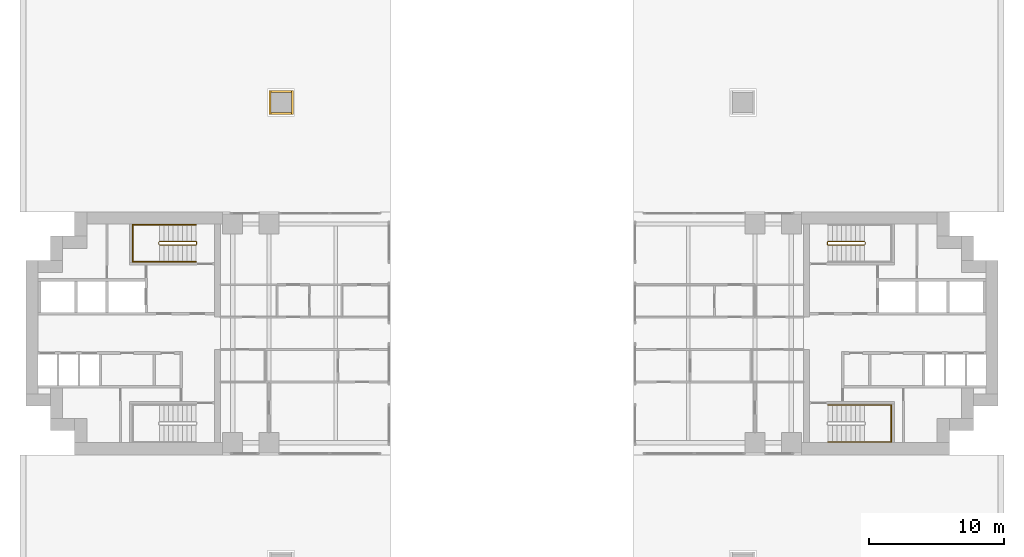
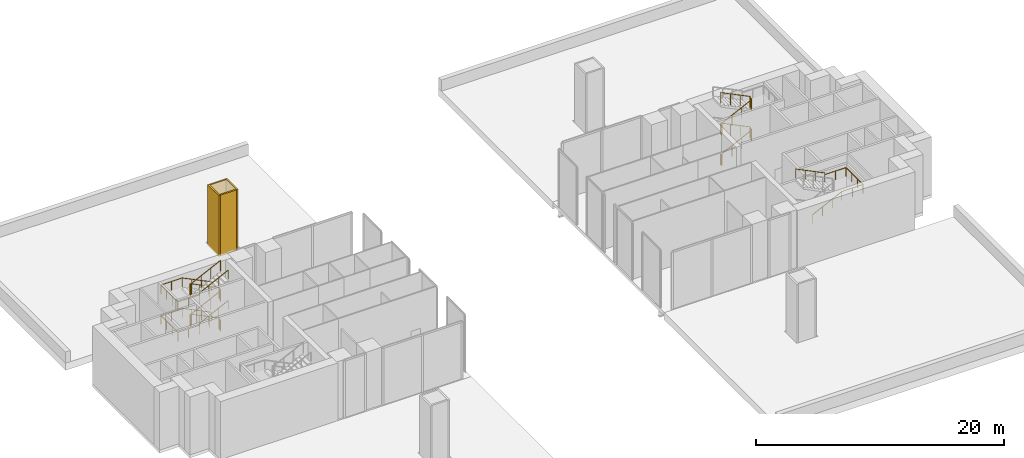
# One storey, part 12 of 13: 5 railings, 4 coverings.
"""IFC4 building model written with IfcOpenShell, lengths in metres."""

from ifc_helpers import new_model, si_unit, direction, frame, origin, origin_2d, place, context, subcontext, project, spatial, rectangle, extrude, material, layer, layer_set, type_object, element, save


model = new_model("IFC4")

# Units and contexts
model_context = context("Model", 3, precision=1e-05, world=origin(), true_north=direction((0.0, 1.0)))
body_context = subcontext(model_context, "Body", "Model", "MODEL_VIEW")
ifc_project = project(units=[si_unit("LENGTHUNIT", "METRE"), si_unit("AREAUNIT", "SQUARE_METRE"), si_unit("VOLUMEUNIT", "CUBIC_METRE"), si_unit("PLANEANGLEUNIT", "RADIAN"), si_unit("MASSUNIT", "GRAM", prefix="KILO")], contexts=[model_context])

# Site, building, storey
site_placement = place(None, origin())
site = spatial("IfcSite", under=ifc_project, at=site_placement, CompositionType="ELEMENT")
building_placement = place(site_placement, origin())
building = spatial("IfcBuilding", under=site, at=building_placement, Name="Perihelion Cross Residences", CompositionType="ELEMENT")
storey_placement = place(building_placement, frame((0.0, 0.0, 15.0)))
storey = spatial("IfcBuildingStorey", under=building, at=storey_placement, Name="L01", CompositionType="ELEMENT", Elevation=15.0)

# Coverings
ifc_material_1 = material(Name="Bronze anodised aluminium", Category="aluminium")
ifc_layer = layer(ifc_material_1, 0.14990234375)
ifc_layer_set = layer_set([ifc_layer], Name="Bronze clad corner pier 150")
covering_type = type_object("IfcCoveringType", Name="Bronze clad corner pier 150", PredefinedType="CLADDING", material=ifc_layer_set)
covering_1_placement = place(storey_placement, frame((-17.925048828125, 17.10009765625, -0.300048828125), z_axis=(0.0, 0.0, 1.0), x_axis=(1.0, 0.0, 0.0)))
element("IfcCovering", 1, at=covering_1_placement, inside=storey, type_object=covering_type, Name="Cladding CP1 L01 casing east-west no. 2", PredefinedType="CLADDING", context=body_context, shape_type="SweptSolid", body=[
    extrude(rectangle(XDim=0.14990234375, YDim=1.800048828125, at=origin_2d()), origin(), (0.0, 0.0, 1.0), 6.0),
])
covering_2_placement = place(storey_placement, frame((-17.10009765625, 17.925048828125, -0.300048828125), z_axis=(0.0, 0.0, 1.0), x_axis=(1.0, 0.0, 0.0)))
element("IfcCovering", 2, at=covering_2_placement, inside=storey, type_object=covering_type, Name="Cladding CP1 L01 casing north-south no. 2", PredefinedType="CLADDING", context=body_context, shape_type="SweptSolid", body=[
    extrude(rectangle(XDim=1.5, YDim=0.14990234375, at=origin_2d()), origin(), (0.0, 0.0, 1.0), 6.0),
])
covering_3_placement = place(storey_placement, frame((-16.27490234375, 17.10009765625, -0.300048828125), z_axis=(0.0, 0.0, 1.0), x_axis=(1.0, 0.0, 0.0)))
element("IfcCovering", 3, at=covering_3_placement, inside=storey, type_object=covering_type, Name="Cladding CP1 L01 casing inner east-west no. 2", PredefinedType="CLADDING", context=body_context, shape_type="SweptSolid", body=[
    extrude(rectangle(XDim=0.14990234375, YDim=1.800048828125, at=origin_2d()), origin(), (0.0, 0.0, 1.0), 6.0),
])
covering_4_placement = place(storey_placement, frame((-17.10009765625, 16.27490234375, -0.300048828125), z_axis=(0.0, 0.0, 1.0), x_axis=(1.0, 0.0, 0.0)))
element("IfcCovering", 4, at=covering_4_placement, inside=storey, type_object=covering_type, Name="Cladding CP1 L01 casing inner north-south no. 2", PredefinedType="CLADDING", context=body_context, shape_type="SweptSolid", body=[
    extrude(rectangle(XDim=1.5, YDim=0.14990234375, at=origin_2d()), origin(), (0.0, 0.0, 1.0), 6.0),
])

# Railings
ifc_material_2 = material(Name="Stainless steel", Category="steel")
railing_type_1 = type_object("IfcRailingType", Name="Stair guard 1100", PredefinedType="GUARDRAIL", material=ifc_material_2)
railing_1_placement = place(storey_placement, frame((23.35009765625, 6.75, 0.0)))
element("IfcRailing", 5, at=railing_1_placement, inside=storey, type_object=railing_type_1, Name="L01 ST-E1 stair guard 1", PredefinedType="GUARDRAIL", context=body_context, shape_type="SweptSolid", body=[
    extrude(rectangle(XDim=0.048095703125, YDim=0.048095703125, at=origin_2d()), frame((0.0, 0.0, 1.076171875), z_axis=(0.0, -1.0, 0.0), x_axis=(1.0, 0.0, 0.0)), (0.0, 0.0, 1.0), 0.14990234375),
    extrude(rectangle(XDim=0.048095703125, YDim=0.048095703125, at=origin_2d()), frame((0.0, -0.14990234375, 1.076171875), z_axis=(0.275041040955, -0.276389281352, 0.920848191041), x_axis=(0.708833529934, 0.705375805398, 0.0)), (0.0, 0.0, 1.0), 0.18115234375),
    extrude(rectangle(XDim=0.048095703125, YDim=0.048095703125, at=origin_2d()), frame((0.0498046875, -0.199951171875, 1.24267578125), z_axis=(0.897945078525, 0.0, 0.440107527717), x_axis=(0.0, 1.0, 0.0)), (0.0, 0.0, 1.0), 3.029296875),
    extrude(rectangle(XDim=0.048095703125, YDim=0.048095703125, at=origin_2d()), frame((2.77001953125, -0.199951171875, 2.576171875), z_axis=(0.705375805398, 0.708833529934, 0.0), x_axis=(-0.708833529934, 0.705375805398, 0.0)), (0.0, 0.0, 1.0), 0.070556640625),
    extrude(rectangle(XDim=0.048095703125, YDim=0.048095703125, at=origin_2d()), frame((2.81982421875, -0.14990234375, 2.576171875), z_axis=(0.0, 1.0, 0.0), x_axis=(-1.0, 0.0, 0.0)), (0.0, 0.0, 1.0), 0.14990234375),
    extrude(rectangle(XDim=0.048095703125, YDim=0.048095703125, at=origin_2d()), frame((2.81982421875, 0.0, 2.576171875), z_axis=(-0.275041040955, 0.276389281352, 0.920848191041), x_axis=(-0.708833529934, -0.705375805398, 0.0)), (0.0, 0.0, 1.0), 0.18115234375),
    extrude(rectangle(XDim=0.048095703125, YDim=0.048095703125, at=origin_2d()), frame((2.77001953125, 0.050048828125, 2.74267578125), z_axis=(-0.897945078525, 0.0, 0.440107527717), x_axis=(0.0, -1.0, 0.0)), (0.0, 0.0, 1.0), 3.029296875),
    extrude(rectangle(XDim=0.048095703125, YDim=0.048095703125, at=origin_2d()), frame((0.0498046875, 0.050048828125, 4.076171875), z_axis=(-0.241699205484, -0.970351222016, 0.0), x_axis=(0.970351222016, -0.241699205484, 0.0)), (0.0, 0.0, 1.0), 0.2060546875),
    extrude(rectangle(XDim=0.048095703125, YDim=0.048095703125, at=origin_2d()), frame((0.0, -0.14990234375, 4.076171875), z_axis=(0.0, 1.0, 0.0), x_axis=(-1.0, 0.0, 0.0)), (0.0, 0.0, 1.0), 0.14990234375),
    extrude(rectangle(XDim=0.048095703125, YDim=0.048095703125, at=origin_2d()), frame((0.0, 0.0, 4.076171875), z_axis=(0.1878875253, -0.754313153044, 0.629054802844), x_axis=(0.970351222016, 0.241699205484, 0.0)), (0.0, 0.0, 1.0), 0.26513671875),
    extrude(rectangle(XDim=0.048095703125, YDim=0.048095703125, at=origin_2d()), frame((0.0498046875, -0.199951171875, 4.24267578125), z_axis=(0.897945078525, 0.0, 0.440107527717), x_axis=(0.0, 1.0, 0.0)), (0.0, 0.0, 1.0), 3.029296875),
    extrude(rectangle(XDim=0.048095703125, YDim=0.048095703125, at=origin_2d()), frame((2.77001953125, -0.199951171875, 5.576171875), z_axis=(0.705375805398, 0.708833529934, 0.0), x_axis=(-0.708833529934, 0.705375805398, 0.0)), (0.0, 0.0, 1.0), 0.070556640625),
    extrude(rectangle(XDim=0.048095703125, YDim=0.048095703125, at=origin_2d()), frame((2.81982421875, -0.14990234375, 5.576171875), z_axis=(0.0, 1.0, 0.0), x_axis=(-1.0, 0.0, 0.0)), (0.0, 0.0, 1.0), 0.14990234375),
    extrude(rectangle(XDim=0.048095703125, YDim=0.048095703125, at=origin_2d()), frame((2.81982421875, 0.0, 5.576171875), z_axis=(-0.275041040955, 0.276389281352, 0.920848191041), x_axis=(-0.708833529934, -0.705375805398, 0.0)), (0.0, 0.0, 1.0), 0.18115234375),
    extrude(rectangle(XDim=0.048095703125, YDim=0.048095703125, at=origin_2d()), frame((2.77001953125, 0.050048828125, 5.74267578125), z_axis=(-0.897945078525, 0.0, 0.440107527717), x_axis=(0.0, -1.0, 0.0)), (0.0, 0.0, 1.0), 3.029296875),
    extrude(rectangle(XDim=0.0419921875, YDim=0.0419921875, at=origin_2d()), origin(), (0.0, 0.0, 1.0), 1.052001953125),
    extrude(rectangle(XDim=0.0419921875, YDim=0.0419921875, at=origin_2d()), frame((0.0, -0.14990234375, 0.0)), (0.0, 0.0, 1.0), 1.052001953125),
    extrude(rectangle(XDim=0.0419921875, YDim=0.0419921875, at=origin_2d()), frame((0.0498046875, -0.199951171875, 0.166748046875)), (0.0, 0.0, 1.0), 1.052001953125),
    extrude(rectangle(XDim=0.0419921875, YDim=0.0419921875, at=origin_2d()), frame((0.95654296875, -0.199951171875, 0.611083984375)), (0.0, 0.0, 1.0), 1.052001953125),
    extrude(rectangle(XDim=0.0419921875, YDim=0.0419921875, at=origin_2d()), frame((1.86328125, -0.199951171875, 1.0556640625)), (0.0, 0.0, 1.0), 1.052001953125),
    extrude(rectangle(XDim=0.0419921875, YDim=0.0419921875, at=origin_2d()), frame((2.77001953125, -0.199951171875, 1.5)), (0.0, 0.0, 1.0), 1.052001953125),
    extrude(rectangle(XDim=0.0419921875, YDim=0.0419921875, at=origin_2d()), frame((2.81982421875, -0.14990234375, 1.5)), (0.0, 0.0, 1.0), 1.052001953125),
    extrude(rectangle(XDim=0.0419921875, YDim=0.0419921875, at=origin_2d()), frame((2.81982421875, 0.0, 1.5)), (0.0, 0.0, 1.0), 1.052001953125),
    extrude(rectangle(XDim=0.0419921875, YDim=0.0419921875, at=origin_2d()), frame((2.77001953125, 0.050048828125, 1.666748046875)), (0.0, 0.0, 1.0), 1.052001953125),
    extrude(rectangle(XDim=0.0419921875, YDim=0.0419921875, at=origin_2d()), frame((1.86328125, 0.050048828125, 2.111083984375)), (0.0, 0.0, 1.0), 1.052001953125),
    extrude(rectangle(XDim=0.0419921875, YDim=0.0419921875, at=origin_2d()), frame((0.95654296875, 0.050048828125, 2.5556640625)), (0.0, 0.0, 1.0), 1.052001953125),
    extrude(rectangle(XDim=0.0419921875, YDim=0.0419921875, at=origin_2d()), frame((0.0498046875, 0.050048828125, 3.0)), (0.0, 0.0, 1.0), 1.052001953125),
    extrude(rectangle(XDim=0.0419921875, YDim=0.0419921875, at=origin_2d()), frame((0.0, -0.14990234375, 3.0)), (0.0, 0.0, 1.0), 1.052001953125),
    extrude(rectangle(XDim=0.0419921875, YDim=0.0419921875, at=origin_2d()), frame((0.0, 0.0, 3.0)), (0.0, 0.0, 1.0), 1.052001953125),
    extrude(rectangle(XDim=0.0419921875, YDim=0.0419921875, at=origin_2d()), frame((0.0498046875, -0.199951171875, 3.166748046875)), (0.0, 0.0, 1.0), 1.052001953125),
    extrude(rectangle(XDim=0.0419921875, YDim=0.0419921875, at=origin_2d()), frame((0.95654296875, -0.199951171875, 3.611083984375)), (0.0, 0.0, 1.0), 1.052001953125),
    extrude(rectangle(XDim=0.0419921875, YDim=0.0419921875, at=origin_2d()), frame((1.86328125, -0.199951171875, 4.0556640625)), (0.0, 0.0, 1.0), 1.052001953125),
    extrude(rectangle(XDim=0.0419921875, YDim=0.0419921875, at=origin_2d()), frame((2.77001953125, -0.199951171875, 4.5)), (0.0, 0.0, 1.0), 1.052001953125),
    extrude(rectangle(XDim=0.0419921875, YDim=0.0419921875, at=origin_2d()), frame((2.81982421875, -0.14990234375, 4.5)), (0.0, 0.0, 1.0), 1.052001953125),
    extrude(rectangle(XDim=0.0419921875, YDim=0.0419921875, at=origin_2d()), frame((2.81982421875, 0.0, 4.5)), (0.0, 0.0, 1.0), 1.052001953125),
    extrude(rectangle(XDim=0.0419921875, YDim=0.0419921875, at=origin_2d()), frame((2.77001953125, 0.050048828125, 4.666748046875)), (0.0, 0.0, 1.0), 1.052001953125),
    extrude(rectangle(XDim=0.0419921875, YDim=0.0419921875, at=origin_2d()), frame((1.86328125, 0.050048828125, 5.111083984375)), (0.0, 0.0, 1.0), 1.052001953125),
    extrude(rectangle(XDim=0.0419921875, YDim=0.0419921875, at=origin_2d()), frame((0.95654296875, 0.050048828125, 5.5556640625)), (0.0, 0.0, 1.0), 1.052001953125),
    extrude(rectangle(XDim=0.0419921875, YDim=0.0419921875, at=origin_2d()), frame((0.0498046875, 0.050048828125, 6.0)), (0.0, 0.0, 1.0), 1.052001953125),
])
railing_2_placement = place(storey_placement, frame((-23.35009765625, 6.60009765625, 0.0)))
element("IfcRailing", 6, at=railing_2_placement, inside=storey, type_object=railing_type_1, Name="L01 ST-W1 stair guard 1", PredefinedType="GUARDRAIL", context=body_context, shape_type="SweptSolid", body=[
    extrude(rectangle(XDim=0.048095703125, YDim=0.048095703125, at=origin_2d()), frame((0.0, 0.0, 1.076171875), z_axis=(0.0, 1.0, 0.0), x_axis=(-1.0, 0.0, 0.0)), (0.0, 0.0, 1.0), 0.14990234375),
    extrude(rectangle(XDim=0.048095703125, YDim=0.048095703125, at=origin_2d()), frame((0.0, 0.14990234375, 1.076171875), z_axis=(-0.275041040955, 0.276389281352, 0.920848191041), x_axis=(-0.708833529934, -0.705375805398, 0.0)), (0.0, 0.0, 1.0), 0.18115234375),
    extrude(rectangle(XDim=0.048095703125, YDim=0.048095703125, at=origin_2d()), frame((-0.0498046875, 0.199951171875, 1.24267578125), z_axis=(-0.897945078525, 0.0, 0.440107527717), x_axis=(0.0, -1.0, 0.0)), (0.0, 0.0, 1.0), 3.029296875),
    extrude(rectangle(XDim=0.048095703125, YDim=0.048095703125, at=origin_2d()), frame((-2.77001953125, 0.199951171875, 2.576171875), z_axis=(-0.705375805398, -0.708833529934, 0.0), x_axis=(0.708833529934, -0.705375805398, 0.0)), (0.0, 0.0, 1.0), 0.070556640625),
    extrude(rectangle(XDim=0.048095703125, YDim=0.048095703125, at=origin_2d()), frame((-2.81982421875, 0.14990234375, 2.576171875), z_axis=(0.0, -1.0, 0.0), x_axis=(1.0, 0.0, 0.0)), (0.0, 0.0, 1.0), 0.14990234375),
    extrude(rectangle(XDim=0.048095703125, YDim=0.048095703125, at=origin_2d()), frame((-2.81982421875, 0.0, 2.576171875), z_axis=(0.275041040955, -0.276389281352, 0.920848191041), x_axis=(0.708833529934, 0.705375805398, 0.0)), (0.0, 0.0, 1.0), 0.18115234375),
    extrude(rectangle(XDim=0.048095703125, YDim=0.048095703125, at=origin_2d()), frame((-2.77001953125, -0.050048828125, 2.74267578125), z_axis=(0.897945078525, 0.0, 0.440107527717), x_axis=(0.0, 1.0, 0.0)), (0.0, 0.0, 1.0), 3.029296875),
    extrude(rectangle(XDim=0.048095703125, YDim=0.048095703125, at=origin_2d()), frame((-0.0498046875, -0.050048828125, 4.076171875), z_axis=(0.241699205484, 0.970351222016, 0.0), x_axis=(-0.970351222016, 0.241699205484, 0.0)), (0.0, 0.0, 1.0), 0.2060546875),
    extrude(rectangle(XDim=0.048095703125, YDim=0.048095703125, at=origin_2d()), frame((0.0, 0.14990234375, 4.076171875), z_axis=(0.0, -1.0, 0.0), x_axis=(1.0, 0.0, 0.0)), (0.0, 0.0, 1.0), 0.14990234375),
    extrude(rectangle(XDim=0.048095703125, YDim=0.048095703125, at=origin_2d()), frame((0.0, 0.0, 4.076171875), z_axis=(-0.1878875253, 0.754313153044, 0.629054802844), x_axis=(-0.970351222016, -0.241699205484, 0.0)), (0.0, 0.0, 1.0), 0.26513671875),
    extrude(rectangle(XDim=0.048095703125, YDim=0.048095703125, at=origin_2d()), frame((-0.0498046875, 0.199951171875, 4.24267578125), z_axis=(-0.897945078525, 0.0, 0.440107527717), x_axis=(0.0, -1.0, 0.0)), (0.0, 0.0, 1.0), 3.029296875),
    extrude(rectangle(XDim=0.048095703125, YDim=0.048095703125, at=origin_2d()), frame((-2.77001953125, 0.199951171875, 5.576171875), z_axis=(-0.705375805398, -0.708833529934, 0.0), x_axis=(0.708833529934, -0.705375805398, 0.0)), (0.0, 0.0, 1.0), 0.070556640625),
    extrude(rectangle(XDim=0.048095703125, YDim=0.048095703125, at=origin_2d()), frame((-2.81982421875, 0.14990234375, 5.576171875), z_axis=(0.0, -1.0, 0.0), x_axis=(1.0, 0.0, 0.0)), (0.0, 0.0, 1.0), 0.14990234375),
    extrude(rectangle(XDim=0.048095703125, YDim=0.048095703125, at=origin_2d()), frame((-2.81982421875, 0.0, 5.576171875), z_axis=(0.275041040955, -0.276389281352, 0.920848191041), x_axis=(0.708833529934, 0.705375805398, 0.0)), (0.0, 0.0, 1.0), 0.18115234375),
    extrude(rectangle(XDim=0.048095703125, YDim=0.048095703125, at=origin_2d()), frame((-2.77001953125, -0.050048828125, 5.74267578125), z_axis=(0.897945078525, 0.0, 0.440107527717), x_axis=(0.0, 1.0, 0.0)), (0.0, 0.0, 1.0), 3.029296875),
    extrude(rectangle(XDim=0.0419921875, YDim=0.0419921875, at=origin_2d()), origin(), (0.0, 0.0, 1.0), 1.052001953125),
    extrude(rectangle(XDim=0.0419921875, YDim=0.0419921875, at=origin_2d()), frame((0.0, 0.14990234375, 0.0)), (0.0, 0.0, 1.0), 1.052001953125),
    extrude(rectangle(XDim=0.0419921875, YDim=0.0419921875, at=origin_2d()), frame((-0.0498046875, 0.199951171875, 0.166748046875)), (0.0, 0.0, 1.0), 1.052001953125),
    extrude(rectangle(XDim=0.0419921875, YDim=0.0419921875, at=origin_2d()), frame((-0.95654296875, 0.199951171875, 0.611083984375)), (0.0, 0.0, 1.0), 1.052001953125),
    extrude(rectangle(XDim=0.0419921875, YDim=0.0419921875, at=origin_2d()), frame((-1.86328125, 0.199951171875, 1.0556640625)), (0.0, 0.0, 1.0), 1.052001953125),
    extrude(rectangle(XDim=0.0419921875, YDim=0.0419921875, at=origin_2d()), frame((-2.77001953125, 0.199951171875, 1.5)), (0.0, 0.0, 1.0), 1.052001953125),
    extrude(rectangle(XDim=0.0419921875, YDim=0.0419921875, at=origin_2d()), frame((-2.81982421875, 0.14990234375, 1.5)), (0.0, 0.0, 1.0), 1.052001953125),
    extrude(rectangle(XDim=0.0419921875, YDim=0.0419921875, at=origin_2d()), frame((-2.81982421875, 0.0, 1.5)), (0.0, 0.0, 1.0), 1.052001953125),
    extrude(rectangle(XDim=0.0419921875, YDim=0.0419921875, at=origin_2d()), frame((-2.77001953125, -0.050048828125, 1.666748046875)), (0.0, 0.0, 1.0), 1.052001953125),
    extrude(rectangle(XDim=0.0419921875, YDim=0.0419921875, at=origin_2d()), frame((-1.86328125, -0.050048828125, 2.111083984375)), (0.0, 0.0, 1.0), 1.052001953125),
    extrude(rectangle(XDim=0.0419921875, YDim=0.0419921875, at=origin_2d()), frame((-0.95654296875, -0.050048828125, 2.5556640625)), (0.0, 0.0, 1.0), 1.052001953125),
    extrude(rectangle(XDim=0.0419921875, YDim=0.0419921875, at=origin_2d()), frame((-0.0498046875, -0.050048828125, 3.0)), (0.0, 0.0, 1.0), 1.052001953125),
    extrude(rectangle(XDim=0.0419921875, YDim=0.0419921875, at=origin_2d()), frame((0.0, 0.14990234375, 3.0)), (0.0, 0.0, 1.0), 1.052001953125),
    extrude(rectangle(XDim=0.0419921875, YDim=0.0419921875, at=origin_2d()), frame((0.0, 0.0, 3.0)), (0.0, 0.0, 1.0), 1.052001953125),
    extrude(rectangle(XDim=0.0419921875, YDim=0.0419921875, at=origin_2d()), frame((-0.0498046875, 0.199951171875, 3.166748046875)), (0.0, 0.0, 1.0), 1.052001953125),
    extrude(rectangle(XDim=0.0419921875, YDim=0.0419921875, at=origin_2d()), frame((-0.95654296875, 0.199951171875, 3.611083984375)), (0.0, 0.0, 1.0), 1.052001953125),
    extrude(rectangle(XDim=0.0419921875, YDim=0.0419921875, at=origin_2d()), frame((-1.86328125, 0.199951171875, 4.0556640625)), (0.0, 0.0, 1.0), 1.052001953125),
    extrude(rectangle(XDim=0.0419921875, YDim=0.0419921875, at=origin_2d()), frame((-2.77001953125, 0.199951171875, 4.5)), (0.0, 0.0, 1.0), 1.052001953125),
    extrude(rectangle(XDim=0.0419921875, YDim=0.0419921875, at=origin_2d()), frame((-2.81982421875, 0.14990234375, 4.5)), (0.0, 0.0, 1.0), 1.052001953125),
    extrude(rectangle(XDim=0.0419921875, YDim=0.0419921875, at=origin_2d()), frame((-2.81982421875, 0.0, 4.5)), (0.0, 0.0, 1.0), 1.052001953125),
    extrude(rectangle(XDim=0.0419921875, YDim=0.0419921875, at=origin_2d()), frame((-2.77001953125, -0.050048828125, 4.666748046875)), (0.0, 0.0, 1.0), 1.052001953125),
    extrude(rectangle(XDim=0.0419921875, YDim=0.0419921875, at=origin_2d()), frame((-1.86328125, -0.050048828125, 5.111083984375)), (0.0, 0.0, 1.0), 1.052001953125),
    extrude(rectangle(XDim=0.0419921875, YDim=0.0419921875, at=origin_2d()), frame((-0.95654296875, -0.050048828125, 5.5556640625)), (0.0, 0.0, 1.0), 1.052001953125),
    extrude(rectangle(XDim=0.0419921875, YDim=0.0419921875, at=origin_2d()), frame((-0.0498046875, -0.050048828125, 6.0)), (0.0, 0.0, 1.0), 1.052001953125),
])
ifc_material_3 = material(Name="Stainless steel", Category="steel")
railing_type_2 = type_object("IfcRailingType", Name="Stair handrail 900", PredefinedType="HANDRAIL", material=ifc_material_3)
railing_3_placement = place(storey_placement, frame((23.39990234375, -8.050048828125, 3.166748046875)))
element("IfcRailing", 7, at=railing_3_placement, inside=storey, type_object=railing_type_2, Name="L01 ST-E2 stair handrail 2", PredefinedType="HANDRAIL", context=body_context, shape_type="SweptSolid", body=[
    extrude(rectangle(XDim=0.048095703125, YDim=0.048095703125, at=origin_2d()), frame((0.0, 0.0, 0.8759765625), z_axis=(0.897945078525, 0.0, 0.440107527717), x_axis=(0.0, 1.0, 0.0)), (0.0, 0.0, 1.0), 3.029296875),
    extrude(rectangle(XDim=0.048095703125, YDim=0.048095703125, at=origin_2d()), frame((2.72021484375, 0.0, 2.208984375), z_axis=(1.0, 0.0, 0.0), x_axis=(0.0, 1.0, 0.0)), (0.0, 0.0, 1.0), 1.97998046875),
    extrude(rectangle(XDim=0.048095703125, YDim=0.048095703125, at=origin_2d()), frame((4.7001953125, 0.0, 2.208984375), z_axis=(0.0, 1.0, 0.0), x_axis=(-1.0, 0.0, 0.0)), (0.0, 0.0, 1.0), 2.75),
    extrude(rectangle(XDim=0.048095703125, YDim=0.048095703125, at=origin_2d()), frame((4.7001953125, 2.75, 2.208984375), z_axis=(-1.0, 0.0, 0.0), x_axis=(0.0, -1.0, 0.0)), (0.0, 0.0, 1.0), 1.97998046875),
    extrude(rectangle(XDim=0.048095703125, YDim=0.048095703125, at=origin_2d()), frame((2.72021484375, 2.75, 2.208984375), z_axis=(0.0, 0.0, 1.0), x_axis=(1.0, 0.0, 0.0)), (0.0, 0.0, 1.0), 0.166748046875),
    extrude(rectangle(XDim=0.048095703125, YDim=0.048095703125, at=origin_2d()), frame((2.72021484375, 2.75, 2.3759765625), z_axis=(-0.897945078525, 0.0, 0.440107527717), x_axis=(0.0, -1.0, 0.0)), (0.0, 0.0, 1.0), 3.029296875),
    extrude(rectangle(XDim=0.0419921875, YDim=0.0419921875, at=origin_2d()), origin(), (0.0, 0.0, 1.0), 0.851806640625),
    extrude(rectangle(XDim=0.0419921875, YDim=0.0419921875, at=origin_2d()), frame((0.90673828125, 0.0, 0.4443359375)), (0.0, 0.0, 1.0), 0.851806640625),
    extrude(rectangle(XDim=0.0419921875, YDim=0.0419921875, at=origin_2d()), frame((1.8134765625, 0.0, 0.888916015625)), (0.0, 0.0, 1.0), 0.851806640625),
    extrude(rectangle(XDim=0.0419921875, YDim=0.0419921875, at=origin_2d()), frame((2.72021484375, 0.0, 1.333251953125)), (0.0, 0.0, 1.0), 0.851806640625),
    extrude(rectangle(XDim=0.0419921875, YDim=0.0419921875, at=origin_2d()), frame((3.710205078125, 0.0, 1.333251953125)), (0.0, 0.0, 1.0), 0.851806640625),
    extrude(rectangle(XDim=0.0419921875, YDim=0.0419921875, at=origin_2d()), frame((4.7001953125, 0.0, 1.333251953125)), (0.0, 0.0, 1.0), 0.851806640625),
    extrude(rectangle(XDim=0.0419921875, YDim=0.0419921875, at=origin_2d()), frame((4.7001953125, 0.916748046875, 1.333251953125)), (0.0, 0.0, 1.0), 0.851806640625),
    extrude(rectangle(XDim=0.0419921875, YDim=0.0419921875, at=origin_2d()), frame((4.7001953125, 1.833251953125, 1.333251953125)), (0.0, 0.0, 1.0), 0.851806640625),
    extrude(rectangle(XDim=0.0419921875, YDim=0.0419921875, at=origin_2d()), frame((4.7001953125, 2.75, 1.333251953125)), (0.0, 0.0, 1.0), 0.851806640625),
    extrude(rectangle(XDim=0.0419921875, YDim=0.0419921875, at=origin_2d()), frame((3.710205078125, 2.75, 1.333251953125)), (0.0, 0.0, 1.0), 0.851806640625),
    extrude(rectangle(XDim=0.0419921875, YDim=0.0419921875, at=origin_2d()), frame((2.72021484375, 2.75, 1.333251953125)), (0.0, 0.0, 1.0), 0.851806640625),
    extrude(rectangle(XDim=0.0419921875, YDim=0.0419921875, at=origin_2d()), frame((2.72021484375, 2.75, 1.5)), (0.0, 0.0, 1.0), 0.851806640625),
    extrude(rectangle(XDim=0.0419921875, YDim=0.0419921875, at=origin_2d()), frame((1.8134765625, 2.75, 1.9443359375)), (0.0, 0.0, 1.0), 0.851806640625),
    extrude(rectangle(XDim=0.0419921875, YDim=0.0419921875, at=origin_2d()), frame((0.90673828125, 2.75, 2.388916015625)), (0.0, 0.0, 1.0), 0.851806640625),
    extrude(rectangle(XDim=0.0419921875, YDim=0.0419921875, at=origin_2d()), frame((0.0, 2.75, 2.833251953125)), (0.0, 0.0, 1.0), 0.851806640625),
])
railing_4_placement = place(storey_placement, frame((-23.39990234375, 8.050048828125, 0.166748046875)))
element("IfcRailing", 8, at=railing_4_placement, inside=storey, type_object=railing_type_2, Name="L01 ST-W1 stair handrail 1", PredefinedType="HANDRAIL", context=body_context, shape_type="SweptSolid", body=[
    extrude(rectangle(XDim=0.048095703125, YDim=0.048095703125, at=origin_2d()), frame((0.0, 0.0, 0.8759765625), z_axis=(-0.897945078525, 0.0, 0.440107527717), x_axis=(0.0, -1.0, 0.0)), (0.0, 0.0, 1.0), 3.029296875),
    extrude(rectangle(XDim=0.048095703125, YDim=0.048095703125, at=origin_2d()), frame((-2.72021484375, 0.0, 2.208984375), z_axis=(-1.0, 0.0, 0.0), x_axis=(0.0, -1.0, 0.0)), (0.0, 0.0, 1.0), 1.97998046875),
    extrude(rectangle(XDim=0.048095703125, YDim=0.048095703125, at=origin_2d()), frame((-4.7001953125, 0.0, 2.208984375), z_axis=(0.0, -1.0, 0.0), x_axis=(1.0, 0.0, 0.0)), (0.0, 0.0, 1.0), 2.75),
    extrude(rectangle(XDim=0.048095703125, YDim=0.048095703125, at=origin_2d()), frame((-4.7001953125, -2.75, 2.208984375), z_axis=(1.0, 0.0, 0.0), x_axis=(0.0, 1.0, 0.0)), (0.0, 0.0, 1.0), 1.97998046875),
    extrude(rectangle(XDim=0.048095703125, YDim=0.048095703125, at=origin_2d()), frame((-2.72021484375, -2.75, 2.208984375), z_axis=(0.0, 0.0, 1.0), x_axis=(1.0, 0.0, 0.0)), (0.0, 0.0, 1.0), 0.166748046875),
    extrude(rectangle(XDim=0.048095703125, YDim=0.048095703125, at=origin_2d()), frame((-2.72021484375, -2.75, 2.3759765625), z_axis=(0.897945078525, 0.0, 0.440107527717), x_axis=(0.0, 1.0, 0.0)), (0.0, 0.0, 1.0), 3.029296875),
    extrude(rectangle(XDim=0.0419921875, YDim=0.0419921875, at=origin_2d()), origin(), (0.0, 0.0, 1.0), 0.851806640625),
    extrude(rectangle(XDim=0.0419921875, YDim=0.0419921875, at=origin_2d()), frame((-0.90673828125, 0.0, 0.4443359375)), (0.0, 0.0, 1.0), 0.851806640625),
    extrude(rectangle(XDim=0.0419921875, YDim=0.0419921875, at=origin_2d()), frame((-1.8134765625, 0.0, 0.888916015625)), (0.0, 0.0, 1.0), 0.851806640625),
    extrude(rectangle(XDim=0.0419921875, YDim=0.0419921875, at=origin_2d()), frame((-2.72021484375, 0.0, 1.333251953125)), (0.0, 0.0, 1.0), 0.851806640625),
    extrude(rectangle(XDim=0.0419921875, YDim=0.0419921875, at=origin_2d()), frame((-3.710205078125, 0.0, 1.333251953125)), (0.0, 0.0, 1.0), 0.851806640625),
    extrude(rectangle(XDim=0.0419921875, YDim=0.0419921875, at=origin_2d()), frame((-4.7001953125, 0.0, 1.333251953125)), (0.0, 0.0, 1.0), 0.851806640625),
    extrude(rectangle(XDim=0.0419921875, YDim=0.0419921875, at=origin_2d()), frame((-4.7001953125, -0.916748046875, 1.333251953125)), (0.0, 0.0, 1.0), 0.851806640625),
    extrude(rectangle(XDim=0.0419921875, YDim=0.0419921875, at=origin_2d()), frame((-4.7001953125, -1.833251953125, 1.333251953125)), (0.0, 0.0, 1.0), 0.851806640625),
    extrude(rectangle(XDim=0.0419921875, YDim=0.0419921875, at=origin_2d()), frame((-4.7001953125, -2.75, 1.333251953125)), (0.0, 0.0, 1.0), 0.851806640625),
    extrude(rectangle(XDim=0.0419921875, YDim=0.0419921875, at=origin_2d()), frame((-3.710205078125, -2.75, 1.333251953125)), (0.0, 0.0, 1.0), 0.851806640625),
    extrude(rectangle(XDim=0.0419921875, YDim=0.0419921875, at=origin_2d()), frame((-2.72021484375, -2.75, 1.333251953125)), (0.0, 0.0, 1.0), 0.851806640625),
    extrude(rectangle(XDim=0.0419921875, YDim=0.0419921875, at=origin_2d()), frame((-2.72021484375, -2.75, 1.5)), (0.0, 0.0, 1.0), 0.851806640625),
    extrude(rectangle(XDim=0.0419921875, YDim=0.0419921875, at=origin_2d()), frame((-1.8134765625, -2.75, 1.9443359375)), (0.0, 0.0, 1.0), 0.851806640625),
    extrude(rectangle(XDim=0.0419921875, YDim=0.0419921875, at=origin_2d()), frame((-0.90673828125, -2.75, 2.388916015625)), (0.0, 0.0, 1.0), 0.851806640625),
    extrude(rectangle(XDim=0.0419921875, YDim=0.0419921875, at=origin_2d()), frame((0.0, -2.75, 2.833251953125)), (0.0, 0.0, 1.0), 0.851806640625),
])
railing_5_placement = place(storey_placement, frame((-23.39990234375, 8.050048828125, 3.166748046875)))
element("IfcRailing", 9, at=railing_5_placement, inside=storey, type_object=railing_type_2, Name="L01 ST-W1 stair handrail 2", PredefinedType="HANDRAIL", context=body_context, shape_type="SweptSolid", body=[
    extrude(rectangle(XDim=0.048095703125, YDim=0.048095703125, at=origin_2d()), frame((0.0, 0.0, 0.8759765625), z_axis=(-0.897945078525, 0.0, 0.440107527717), x_axis=(0.0, -1.0, 0.0)), (0.0, 0.0, 1.0), 3.029296875),
    extrude(rectangle(XDim=0.048095703125, YDim=0.048095703125, at=origin_2d()), frame((-2.72021484375, 0.0, 2.208984375), z_axis=(-1.0, 0.0, 0.0), x_axis=(0.0, -1.0, 0.0)), (0.0, 0.0, 1.0), 1.97998046875),
    extrude(rectangle(XDim=0.048095703125, YDim=0.048095703125, at=origin_2d()), frame((-4.7001953125, 0.0, 2.208984375), z_axis=(0.0, -1.0, 0.0), x_axis=(1.0, 0.0, 0.0)), (0.0, 0.0, 1.0), 2.75),
    extrude(rectangle(XDim=0.048095703125, YDim=0.048095703125, at=origin_2d()), frame((-4.7001953125, -2.75, 2.208984375), z_axis=(1.0, 0.0, 0.0), x_axis=(0.0, 1.0, 0.0)), (0.0, 0.0, 1.0), 1.97998046875),
    extrude(rectangle(XDim=0.048095703125, YDim=0.048095703125, at=origin_2d()), frame((-2.72021484375, -2.75, 2.208984375), z_axis=(0.0, 0.0, 1.0), x_axis=(1.0, 0.0, 0.0)), (0.0, 0.0, 1.0), 0.166748046875),
    extrude(rectangle(XDim=0.048095703125, YDim=0.048095703125, at=origin_2d()), frame((-2.72021484375, -2.75, 2.3759765625), z_axis=(0.897945078525, 0.0, 0.440107527717), x_axis=(0.0, 1.0, 0.0)), (0.0, 0.0, 1.0), 3.029296875),
    extrude(rectangle(XDim=0.0419921875, YDim=0.0419921875, at=origin_2d()), origin(), (0.0, 0.0, 1.0), 0.851806640625),
    extrude(rectangle(XDim=0.0419921875, YDim=0.0419921875, at=origin_2d()), frame((-0.90673828125, 0.0, 0.4443359375)), (0.0, 0.0, 1.0), 0.851806640625),
    extrude(rectangle(XDim=0.0419921875, YDim=0.0419921875, at=origin_2d()), frame((-1.8134765625, 0.0, 0.888916015625)), (0.0, 0.0, 1.0), 0.851806640625),
    extrude(rectangle(XDim=0.0419921875, YDim=0.0419921875, at=origin_2d()), frame((-2.72021484375, 0.0, 1.333251953125)), (0.0, 0.0, 1.0), 0.851806640625),
    extrude(rectangle(XDim=0.0419921875, YDim=0.0419921875, at=origin_2d()), frame((-3.710205078125, 0.0, 1.333251953125)), (0.0, 0.0, 1.0), 0.851806640625),
    extrude(rectangle(XDim=0.0419921875, YDim=0.0419921875, at=origin_2d()), frame((-4.7001953125, 0.0, 1.333251953125)), (0.0, 0.0, 1.0), 0.851806640625),
    extrude(rectangle(XDim=0.0419921875, YDim=0.0419921875, at=origin_2d()), frame((-4.7001953125, -0.916748046875, 1.333251953125)), (0.0, 0.0, 1.0), 0.851806640625),
    extrude(rectangle(XDim=0.0419921875, YDim=0.0419921875, at=origin_2d()), frame((-4.7001953125, -1.833251953125, 1.333251953125)), (0.0, 0.0, 1.0), 0.851806640625),
    extrude(rectangle(XDim=0.0419921875, YDim=0.0419921875, at=origin_2d()), frame((-4.7001953125, -2.75, 1.333251953125)), (0.0, 0.0, 1.0), 0.851806640625),
    extrude(rectangle(XDim=0.0419921875, YDim=0.0419921875, at=origin_2d()), frame((-3.710205078125, -2.75, 1.333251953125)), (0.0, 0.0, 1.0), 0.851806640625),
    extrude(rectangle(XDim=0.0419921875, YDim=0.0419921875, at=origin_2d()), frame((-2.72021484375, -2.75, 1.333251953125)), (0.0, 0.0, 1.0), 0.851806640625),
    extrude(rectangle(XDim=0.0419921875, YDim=0.0419921875, at=origin_2d()), frame((-2.72021484375, -2.75, 1.5)), (0.0, 0.0, 1.0), 0.851806640625),
    extrude(rectangle(XDim=0.0419921875, YDim=0.0419921875, at=origin_2d()), frame((-1.8134765625, -2.75, 1.9443359375)), (0.0, 0.0, 1.0), 0.851806640625),
    extrude(rectangle(XDim=0.0419921875, YDim=0.0419921875, at=origin_2d()), frame((-0.90673828125, -2.75, 2.388916015625)), (0.0, 0.0, 1.0), 0.851806640625),
    extrude(rectangle(XDim=0.0419921875, YDim=0.0419921875, at=origin_2d()), frame((0.0, -2.75, 2.833251953125)), (0.0, 0.0, 1.0), 0.851806640625),
])

save(model, "model.ifc")
